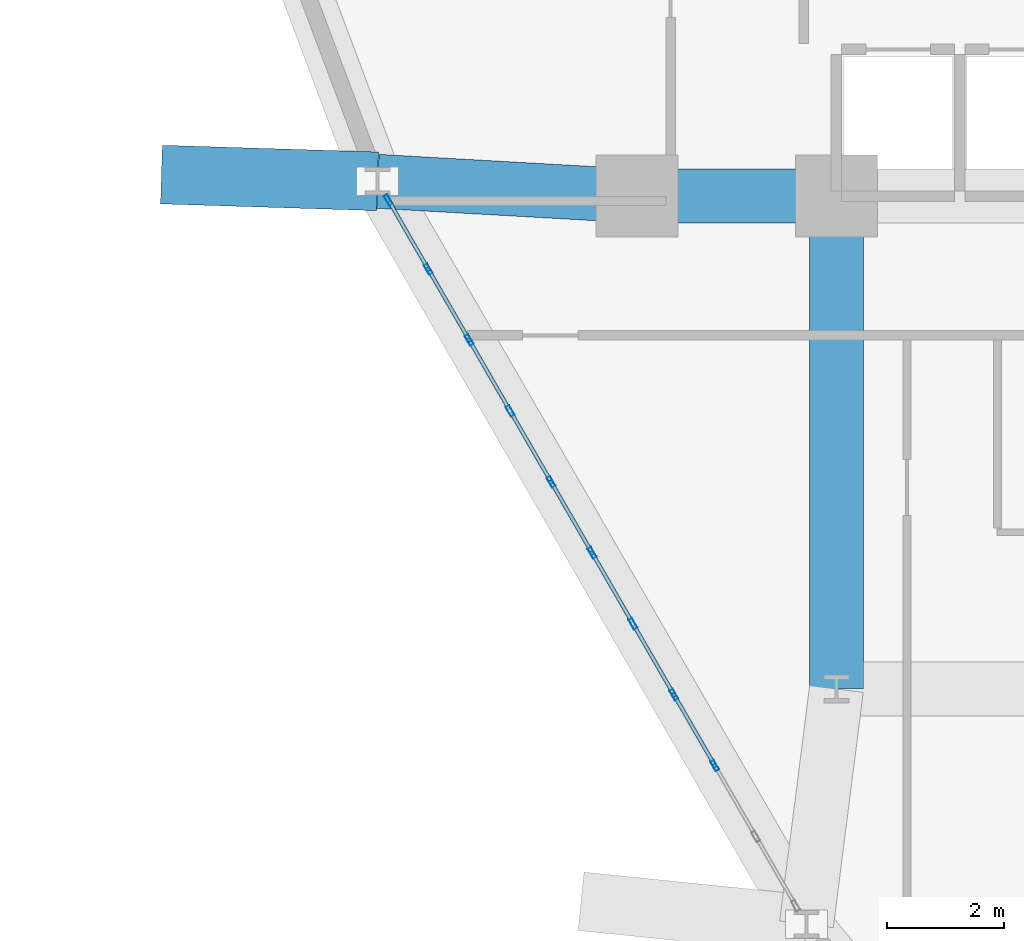
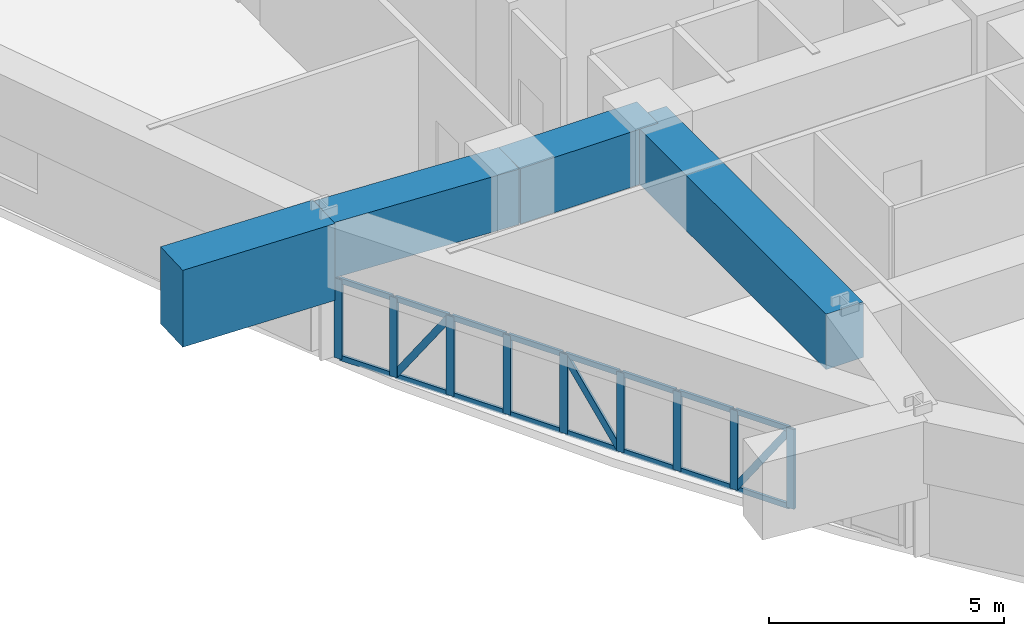
# One storey, part 4 of 18: 28 members, 4 beams, 1 element without a shape of its own.
"""IFC4 building model written with IfcOpenShell, lengths in metres."""

from ifc_helpers import new_model, si_unit, derived_unit, direction, frame, origin, origin_2d, place, context, subcontext, project, spatial, rectangle, hollow_rectangle, extrude, source, transform, mapped, material, layer, layer_set, material_profile, profile_set, type_object, element, aggregate, save


model = new_model("IFC4")

# Units and contexts
model_context = context("Model", 3, precision=1e-05, world=origin(), true_north=direction((0.0, 1.0)))
body_context = subcontext(model_context, "Body", "Model", "MODEL_VIEW")
ifc_project = project(units=[si_unit("LENGTHUNIT", "METRE"), si_unit("AREAUNIT", "SQUARE_METRE"), si_unit("VOLUMEUNIT", "CUBIC_METRE"), si_unit("PLANEANGLEUNIT", "RADIAN"), si_unit("MASSUNIT", "GRAM", prefix="KILO"), derived_unit("THERMALTRANSMITTANCEUNIT", [(si_unit("POWERUNIT", "WATT"), 1), (si_unit("LENGTHUNIT", "METRE"), -2), (si_unit("THERMODYNAMICTEMPERATUREUNIT", "KELVIN"), -1)])], contexts=[model_context])

# Site, building, storey
site_placement = place(None, origin())
site = spatial("IfcSite", under=ifc_project, at=site_placement, CompositionType="ELEMENT")
building_placement = place(site_placement, origin())
building = spatial("IfcBuilding", under=site, at=building_placement, Name="Korsvarv Bourse and Concert Hall", CompositionType="ELEMENT")
storey_placement = place(building_placement, frame((0.0, 0.0, 95.10009765625)))
storey = spatial("IfcBuildingStorey", under=building, at=storey_placement, Name="L23", CompositionType="ELEMENT", Elevation=95.10009765625)

# Beams
ifc_material_1 = material(Name="Concrete C50/60", Category="concrete")
ifc_material_profile_1 = material_profile(ifc_material_1, rectangle(XDim=0.919921875, YDim=1.43994140625, at=origin_2d()), Name="RC-BM 920x1440")
ifc_profile_set_1 = profile_set([ifc_material_profile_1], Name="Concrete C50/60")
beam_type_1 = type_object("IfcBeamType", Name="BM-TR-144", PredefinedType="BEAM", material=ifc_profile_set_1)
shared_shape_1 = source(origin(), body_context, "Body", "SweptSolid", [
    extrude(rectangle(XDim=0.919921875, YDim=1.43994140625, at=origin_2d()), origin(), (0.0, 0.0, 1.0), 3.400146484375),
])
beam_1_placement = place(storey_placement, frame((24.199951171875, 32.39990234375, 2.949951171875), z_axis=(1.0, 0.0, 0.0), x_axis=(0.0, 1.0, 0.0)))
element("IfcBeam", 1, at=beam_1_placement, inside=storey, type_object=beam_type_1, Name="L23 beam B-TR4", PredefinedType="BEAM", context=body_context, shape_type="MappedRepresentation", body=[
    mapped(shared_shape_1, transform((0.0, 0.0, 0.0), scale=1.0)),
])
shared_shape_2 = source(origin(), body_context, "Body", "SweptSolid", [
    extrude(rectangle(XDim=0.919921875, YDim=1.43994140625, at=origin_2d()), origin(), (0.0, 0.0, 1.0), 8.39990234375),
])
beam_2_placement = place(storey_placement, frame((27.60009765625, 24.0, 2.949951171875), z_axis=(0.0, 1.0, 0.0), x_axis=(-1.0, 0.0, 0.0)))
element("IfcBeam", 2, at=beam_2_placement, inside=storey, type_object=beam_type_1, Name="L23 beam B-TR4", PredefinedType="BEAM", context=body_context, shape_type="MappedRepresentation", body=[
    mapped(shared_shape_2, transform((0.0, 0.0, 0.0), scale=1.0)),
])
shared_shape_3 = source(origin(), body_context, "Body", "SweptSolid", [
    extrude(rectangle(XDim=0.919921875, YDim=1.43994140625, at=origin_2d()), origin(), (0.0, 0.0, 1.0), 4.426025390625),
])
beam_3_placement = place(storey_placement, frame((19.781005859375, 32.65087890625, 2.949951171875), z_axis=(0.9983910226, -0.056704197306, 0.0), x_axis=(0.056704197306, 0.9983910226, 0.0)))
element("IfcBeam", 3, at=beam_3_placement, inside=storey, type_object=beam_type_1, Name="L23 beam B-TR4", PredefinedType="BEAM", context=body_context, shape_type="MappedRepresentation", body=[
    mapped(shared_shape_3, transform((0.0, 0.0, 0.0), scale=1.0)),
])
ifc_material_2 = material(Name="Concrete C60/75", Category="concrete")
ifc_material_profile_2 = material_profile(ifc_material_2, rectangle(XDim=1.0, YDim=2.0, at=origin_2d()), Name="RC-BM 1000x2000")
ifc_profile_set_2 = profile_set([ifc_material_profile_2], Name="Concrete C60/75")
beam_type_2 = type_object("IfcBeamType", Name="BM-TR1", PredefinedType="BEAM", material=ifc_profile_set_2)
shared_shape_4 = source(origin(), body_context, "Body", "SweptSolid", [
    extrude(rectangle(XDim=1.0, YDim=2.0, at=origin_2d()), origin(), (0.0, 0.0, 1.0), 3.683349609375),
])
beam_4_placement = place(storey_placement, frame((19.781005859375, 32.65087890625, 2.669921875), z_axis=(-0.999512593263, 0.03121819837, 0.0), x_axis=(-0.03121819837, -0.999512593263, 0.0)))
element("IfcBeam", 4, at=beam_4_placement, inside=storey, type_object=beam_type_2, Name="L23 Block-Shift Transfer Girder 7", PredefinedType="BEAM", context=body_context, shape_type="MappedRepresentation", body=[
    mapped(shared_shape_4, transform((0.0, 0.0, 0.0), scale=1.0)),
])

# Curtain wall, members
ifc_material_3 = material(Name="Anodised aluminium and triple low-E glazing", Category="glass")
ifc_layer = layer(ifc_material_3, 0.219970703125)
ifc_layer_set = layer_set([ifc_layer], Name="Anodised aluminium and triple low-E glazing")
curtain_wall_type = type_object("IfcCurtainWallType", Name="CW-SYS-1", PredefinedType="NOTDEFINED", material=ifc_layer_set)
curtain_wall_placement = place(storey_placement, origin())
curtain_wall = element("IfcCurtainWall", 5, at=curtain_wall_placement, inside=storey, type_object=curtain_wall_type, Name="L23 CW1 curtain wall CW-L23-F07", PredefinedType="NOTDEFINED")
ifc_material_4 = material(Name="Extruded aluminium EN AW-6063 T66", Category="aluminium")
ifc_material_profile_3 = material_profile(ifc_material_4, hollow_rectangle(XDim=0.070068359375, YDim=0.18994140625, WallThickness=0.0048828125, at=origin_2d()), Name="ALU-M 70x190")
ifc_profile_set_3 = profile_set([ifc_material_profile_3], Name="Extruded aluminium EN AW-6063 T66")
member_type_1 = type_object("IfcMemberType", Name="CWM-190", PredefinedType="MULLION", material=ifc_profile_set_3)
shared_shape_5 = source(origin(), body_context, "Body", "SweptSolid", [
    extrude(hollow_rectangle(XDim=0.070068359375, YDim=0.18994140625, WallThickness=0.0048828125, at=origin_2d()), origin(), (0.0, 0.0, 1.0), 2.06982421875),
])
member_1_placement = place(storey_placement, frame((19.96435546875, 32.33349609375, 0.0), z_axis=(0.0, 0.0, 1.0), x_axis=(0.8660261613, 0.499998687942, 0.0)))
member_1 = element("IfcMember", 6, at=member_1_placement, type_object=member_type_1, Name="CW1 mullion 1", PredefinedType="MULLION", context=body_context, shape_type="MappedRepresentation", body=[
    mapped(shared_shape_5, transform((0.0, 0.0, 0.0), scale=1.0)),
])
member_2_placement = place(storey_placement, frame((20.64453125, 31.1552734375, 0.0), z_axis=(0.0, 0.0, 1.0), x_axis=(0.8660261613, 0.499998687942, 0.0)))
member_2 = element("IfcMember", 7, at=member_2_placement, type_object=member_type_1, Name="CW1 mullion 2", PredefinedType="MULLION", context=body_context, shape_type="MappedRepresentation", body=[
    mapped(shared_shape_5, transform((0.0, 0.0, 0.0), scale=1.0)),
])
member_3_placement = place(storey_placement, frame((21.34228515625, 29.94677734375, 0.0), z_axis=(0.0, 0.0, 1.0), x_axis=(0.8660261613, 0.499998687942, 0.0)))
member_3 = element("IfcMember", 8, at=member_3_placement, type_object=member_type_1, Name="CW1 mullion 3", PredefinedType="MULLION", context=body_context, shape_type="MappedRepresentation", body=[
    mapped(shared_shape_5, transform((0.0, 0.0, 0.0), scale=1.0)),
])
member_4_placement = place(storey_placement, frame((22.0400390625, 28.73828125, 0.0), z_axis=(0.0, 0.0, 1.0), x_axis=(0.8660261613, 0.499998687942, 0.0)))
member_4 = element("IfcMember", 9, at=member_4_placement, type_object=member_type_1, Name="CW1 mullion 4", PredefinedType="MULLION", context=body_context, shape_type="MappedRepresentation", body=[
    mapped(shared_shape_5, transform((0.0, 0.0, 0.0), scale=1.0)),
])
member_5_placement = place(storey_placement, frame((22.73779296875, 27.529541015625, 0.0), z_axis=(0.0, 0.0, 1.0), x_axis=(0.8660261613, 0.499998687942, 0.0)))
member_5 = element("IfcMember", 10, at=member_5_placement, type_object=member_type_1, Name="CW1 mullion 5", PredefinedType="MULLION", context=body_context, shape_type="MappedRepresentation", body=[
    mapped(shared_shape_5, transform((0.0, 0.0, 0.0), scale=1.0)),
])
member_6_placement = place(storey_placement, frame((23.435546875, 26.321044921875, 0.0), z_axis=(0.0, 0.0, 1.0), x_axis=(0.8660261613, 0.499998687942, 0.0)))
member_6 = element("IfcMember", 11, at=member_6_placement, type_object=member_type_1, Name="CW1 mullion 6", PredefinedType="MULLION", context=body_context, shape_type="MappedRepresentation", body=[
    mapped(shared_shape_5, transform((0.0, 0.0, 0.0), scale=1.0)),
])
member_7_placement = place(storey_placement, frame((24.13330078125, 25.112548828125, 0.0), z_axis=(0.0, 0.0, 1.0), x_axis=(0.8660261613, 0.499998687942, 0.0)))
member_7 = element("IfcMember", 12, at=member_7_placement, type_object=member_type_1, Name="CW1 mullion 7", PredefinedType="MULLION", context=body_context, shape_type="MappedRepresentation", body=[
    mapped(shared_shape_5, transform((0.0, 0.0, 0.0), scale=1.0)),
])
member_8_placement = place(storey_placement, frame((24.8310546875, 23.904052734375, 0.0), z_axis=(0.0, 0.0, 1.0), x_axis=(0.8660261613, 0.499998687942, 0.0)))
member_8 = element("IfcMember", 13, at=member_8_placement, type_object=member_type_1, Name="CW1 mullion 8", PredefinedType="MULLION", context=body_context, shape_type="MappedRepresentation", body=[
    mapped(shared_shape_5, transform((0.0, 0.0, 0.0), scale=1.0)),
])
member_9_placement = place(storey_placement, frame((25.52880859375, 22.6953125, 0.0), z_axis=(0.0, 0.0, 1.0), x_axis=(0.8660261613, 0.499998687942, 0.0)))
member_9 = element("IfcMember", 14, at=member_9_placement, type_object=member_type_1, Name="CW1 mullion 9", PredefinedType="MULLION", context=body_context, shape_type="MappedRepresentation", body=[
    mapped(shared_shape_5, transform((0.0, 0.0, 0.0), scale=1.0)),
])
ifc_material_profile_4 = material_profile(ifc_material_4, hollow_rectangle(XDim=0.06494140625, YDim=0.139892578125, WallThickness=0.00390625, at=origin_2d()), Name="ALU-T 65x140")
ifc_profile_set_4 = profile_set([ifc_material_profile_4], Name="Extruded aluminium EN AW-6063 T66")
member_type_2 = type_object("IfcMemberType", Name="CWT-140", PredefinedType="USERDEFINED", material=ifc_profile_set_4)
shared_shape_6 = source(origin(), body_context, "Body", "SweptSolid", [
    extrude(hollow_rectangle(XDim=0.06494140625, YDim=0.139892578125, WallThickness=0.00390625, at=origin_2d()), origin(), (0.0, 0.0, 1.0), 1.29052734375),
])
member_10_placement = place(storey_placement, frame((19.981689453125, 32.30322265625, 0.032470703125), z_axis=(0.49998445949, -0.866034375916, 0.0), x_axis=(0.866034375916, 0.49998445949, 0.0)))
member_10 = element("IfcMember", 15, at=member_10_placement, type_object=member_type_2, Name="CW1 transom 1.1", ObjectType="TRANSOM", PredefinedType="USERDEFINED", context=body_context, shape_type="MappedRepresentation", body=[
    mapped(shared_shape_6, transform((0.0, 0.0, 0.0), scale=1.0)),
])
member_11_placement = place(storey_placement, frame((19.981689453125, 32.30322265625, 2.037353515625), z_axis=(0.49998445949, -0.866034375916, 0.0), x_axis=(0.866034375916, 0.49998445949, 0.0)))
member_11 = element("IfcMember", 16, at=member_11_placement, type_object=member_type_2, Name="CW1 transom 1.2", ObjectType="TRANSOM", PredefinedType="USERDEFINED", context=body_context, shape_type="MappedRepresentation", body=[
    mapped(shared_shape_6, transform((0.0, 0.0, 0.0), scale=1.0)),
])
shared_shape_7 = source(origin(), body_context, "Body", "SweptSolid", [
    extrude(hollow_rectangle(XDim=0.06494140625, YDim=0.139892578125, WallThickness=0.00390625, at=origin_2d()), origin(), (0.0, 0.0, 1.0), 1.325439453125),
])
member_12_placement = place(storey_placement, frame((20.662109375, 31.125, 0.032470703125), z_axis=(0.499903161488, -0.866081306307, 0.0), x_axis=(0.866081306307, 0.499903161488, 0.0)))
member_12 = element("IfcMember", 17, at=member_12_placement, type_object=member_type_2, Name="CW1 transom 2.1", ObjectType="TRANSOM", PredefinedType="USERDEFINED", context=body_context, shape_type="MappedRepresentation", body=[
    mapped(shared_shape_7, transform((0.0, 0.0, 0.0), scale=1.0)),
])
member_13_placement = place(storey_placement, frame((20.662109375, 31.125, 2.037353515625), z_axis=(0.499903161488, -0.866081306307, 0.0), x_axis=(0.866081306307, 0.499903161488, 0.0)))
member_13 = element("IfcMember", 18, at=member_13_placement, type_object=member_type_2, Name="CW1 transom 2.2", ObjectType="TRANSOM", PredefinedType="USERDEFINED", context=body_context, shape_type="MappedRepresentation", body=[
    mapped(shared_shape_7, transform((0.0, 0.0, 0.0), scale=1.0)),
])
member_14_placement = place(storey_placement, frame((21.35986328125, 29.91650390625, 0.032470703125), z_axis=(0.499903161488, -0.866081306307, 0.0), x_axis=(0.866081306307, 0.499903161488, 0.0)))
member_14 = element("IfcMember", 19, at=member_14_placement, type_object=member_type_2, Name="CW1 transom 3.1", ObjectType="TRANSOM", PredefinedType="USERDEFINED", context=body_context, shape_type="MappedRepresentation", body=[
    mapped(shared_shape_7, transform((0.0, 0.0, 0.0), scale=1.0)),
])
member_15_placement = place(storey_placement, frame((21.35986328125, 29.91650390625, 2.037353515625), z_axis=(0.499903161488, -0.866081306307, 0.0), x_axis=(0.866081306307, 0.499903161488, 0.0)))
member_15 = element("IfcMember", 20, at=member_15_placement, type_object=member_type_2, Name="CW1 transom 3.2", ObjectType="TRANSOM", PredefinedType="USERDEFINED", context=body_context, shape_type="MappedRepresentation", body=[
    mapped(shared_shape_7, transform((0.0, 0.0, 0.0), scale=1.0)),
])
ifc_material_profile_5 = material_profile(ifc_material_4, hollow_rectangle(XDim=0.06494140625, YDim=0.1650390625, WallThickness=0.0048828125, at=origin_2d()), Name="ALU-M 65x165")
ifc_profile_set_5 = profile_set([ifc_material_profile_5], Name="Extruded aluminium EN AW-6063 T66")
member_type_3 = type_object("IfcMemberType", Name="CWM-165", PredefinedType="MULLION", material=ifc_profile_set_5)
shared_shape_8 = source(origin(), body_context, "Body", "SweptSolid", [
    extrude(hollow_rectangle(XDim=0.06494140625, YDim=0.1650390625, WallThickness=0.0048828125, at=origin_2d()), origin(), (0.0, 0.0, 1.0), 2.349609375),
])
member_16_placement = place(storey_placement, frame((20.662109375, 31.125, 0.06494140625), z_axis=(0.282015291412, -0.488590972815, 0.825679257759), x_axis=(0.866081306307, 0.499903161488, 0.0)))
member_16 = element("IfcMember", 21, at=member_16_placement, type_object=member_type_3, Name="CW1 diagonal mullion 2", PredefinedType="MULLION", context=body_context, shape_type="MappedRepresentation", body=[
    mapped(shared_shape_8, transform((0.0, 0.0, 0.0), scale=1.0)),
])
member_17_placement = place(storey_placement, frame((23.418212890625, 26.351318359375, 0.06494140625), z_axis=(-0.282110934177, 0.488576652854, 0.825655058183), x_axis=(-0.866001554487, -0.500041305919, 0.0)))
member_17 = element("IfcMember", 22, at=member_17_placement, type_object=member_type_3, Name="CW1 diagonal mullion 5", PredefinedType="MULLION", context=body_context, shape_type="MappedRepresentation", body=[
    mapped(shared_shape_8, transform((0.0, 0.0, 0.0), scale=1.0)),
])
member_18_placement = place(storey_placement, frame((24.8486328125, 23.873779296875, 0.06494140625), z_axis=(0.282110934177, -0.488576652854, 0.825655058183), x_axis=(0.866001554487, 0.500041305919, 0.0)))
member_18 = element("IfcMember", 23, at=member_18_placement, type_object=member_type_3, Name="CW1 diagonal mullion 8", PredefinedType="MULLION", context=body_context, shape_type="MappedRepresentation", body=[
    mapped(shared_shape_8, transform((0.0, 0.0, 0.0), scale=1.0)),
])
shared_shape_9 = source(origin(), body_context, "Body", "SweptSolid", [
    extrude(hollow_rectangle(XDim=0.06494140625, YDim=0.139892578125, WallThickness=0.00390625, at=origin_2d()), origin(), (0.0, 0.0, 1.0), 1.32568359375),
])
member_19_placement = place(storey_placement, frame((22.0576171875, 28.7080078125, 0.032470703125), z_axis=(0.500041305919, -0.866001554487, 0.0), x_axis=(0.866001554487, 0.500041305919, 0.0)))
member_19 = element("IfcMember", 24, at=member_19_placement, type_object=member_type_2, Name="CW1 transom 4.1", ObjectType="TRANSOM", PredefinedType="USERDEFINED", context=body_context, shape_type="MappedRepresentation", body=[
    mapped(shared_shape_9, transform((0.0, 0.0, 0.0), scale=1.0)),
])
member_20_placement = place(storey_placement, frame((22.0576171875, 28.7080078125, 2.037353515625), z_axis=(0.500041305919, -0.866001554487, 0.0), x_axis=(0.866001554487, 0.500041305919, 0.0)))
member_20 = element("IfcMember", 25, at=member_20_placement, type_object=member_type_2, Name="CW1 transom 4.2", ObjectType="TRANSOM", PredefinedType="USERDEFINED", context=body_context, shape_type="MappedRepresentation", body=[
    mapped(shared_shape_9, transform((0.0, 0.0, 0.0), scale=1.0)),
])
member_21_placement = place(storey_placement, frame((22.75537109375, 27.499267578125, 0.032470703125), z_axis=(0.500041305919, -0.866001554487, 0.0), x_axis=(0.866001554487, 0.500041305919, 0.0)))
member_21 = element("IfcMember", 26, at=member_21_placement, type_object=member_type_2, Name="CW1 transom 5.1", ObjectType="TRANSOM", PredefinedType="USERDEFINED", context=body_context, shape_type="MappedRepresentation", body=[
    mapped(shared_shape_9, transform((0.0, 0.0, 0.0), scale=1.0)),
])
member_22_placement = place(storey_placement, frame((22.75537109375, 27.499267578125, 2.037353515625), z_axis=(0.500041305919, -0.866001554487, 0.0), x_axis=(0.866001554487, 0.500041305919, 0.0)))
member_22 = element("IfcMember", 27, at=member_22_placement, type_object=member_type_2, Name="CW1 transom 5.2", ObjectType="TRANSOM", PredefinedType="USERDEFINED", context=body_context, shape_type="MappedRepresentation", body=[
    mapped(shared_shape_9, transform((0.0, 0.0, 0.0), scale=1.0)),
])
member_23_placement = place(storey_placement, frame((23.453125, 26.290771484375, 0.032470703125), z_axis=(0.500041305919, -0.866001554487, 0.0), x_axis=(0.866001554487, 0.500041305919, 0.0)))
member_23 = element("IfcMember", 28, at=member_23_placement, type_object=member_type_2, Name="CW1 transom 6.1", ObjectType="TRANSOM", PredefinedType="USERDEFINED", context=body_context, shape_type="MappedRepresentation", body=[
    mapped(shared_shape_9, transform((0.0, 0.0, 0.0), scale=1.0)),
])
member_24_placement = place(storey_placement, frame((23.453125, 26.290771484375, 2.037353515625), z_axis=(0.500041305919, -0.866001554487, 0.0), x_axis=(0.866001554487, 0.500041305919, 0.0)))
member_24 = element("IfcMember", 29, at=member_24_placement, type_object=member_type_2, Name="CW1 transom 6.2", ObjectType="TRANSOM", PredefinedType="USERDEFINED", context=body_context, shape_type="MappedRepresentation", body=[
    mapped(shared_shape_9, transform((0.0, 0.0, 0.0), scale=1.0)),
])
member_25_placement = place(storey_placement, frame((24.15087890625, 25.082275390625, 0.032470703125), z_axis=(0.500041305919, -0.866001554487, 0.0), x_axis=(0.866001554487, 0.500041305919, 0.0)))
member_25 = element("IfcMember", 30, at=member_25_placement, type_object=member_type_2, Name="CW1 transom 7.1", ObjectType="TRANSOM", PredefinedType="USERDEFINED", context=body_context, shape_type="MappedRepresentation", body=[
    mapped(shared_shape_9, transform((0.0, 0.0, 0.0), scale=1.0)),
])
member_26_placement = place(storey_placement, frame((24.15087890625, 25.082275390625, 2.037353515625), z_axis=(0.500041305919, -0.866001554487, 0.0), x_axis=(0.866001554487, 0.500041305919, 0.0)))
member_26 = element("IfcMember", 31, at=member_26_placement, type_object=member_type_2, Name="CW1 transom 7.2", ObjectType="TRANSOM", PredefinedType="USERDEFINED", context=body_context, shape_type="MappedRepresentation", body=[
    mapped(shared_shape_9, transform((0.0, 0.0, 0.0), scale=1.0)),
])
member_27_placement = place(storey_placement, frame((24.8486328125, 23.873779296875, 0.032470703125), z_axis=(0.500041305919, -0.866001554487, 0.0), x_axis=(0.866001554487, 0.500041305919, 0.0)))
member_27 = element("IfcMember", 32, at=member_27_placement, type_object=member_type_2, Name="CW1 transom 8.1", ObjectType="TRANSOM", PredefinedType="USERDEFINED", context=body_context, shape_type="MappedRepresentation", body=[
    mapped(shared_shape_9, transform((0.0, 0.0, 0.0), scale=1.0)),
])
member_28_placement = place(storey_placement, frame((24.8486328125, 23.873779296875, 2.037353515625), z_axis=(0.500041305919, -0.866001554487, 0.0), x_axis=(0.866001554487, 0.500041305919, 0.0)))
member_28 = element("IfcMember", 33, at=member_28_placement, type_object=member_type_2, Name="CW1 transom 8.2", ObjectType="TRANSOM", PredefinedType="USERDEFINED", context=body_context, shape_type="MappedRepresentation", body=[
    mapped(shared_shape_9, transform((0.0, 0.0, 0.0), scale=1.0)),
])
aggregate(curtain_wall, [member_1, member_2, member_3, member_4, member_5, member_6, member_7, member_8, member_9, member_10, member_11, member_12, member_13, member_16, member_14, member_15, member_19, member_20, member_21, member_22, member_17, member_23, member_24, member_25, member_26, member_27, member_28, member_18])

save(model, "model.ifc")
